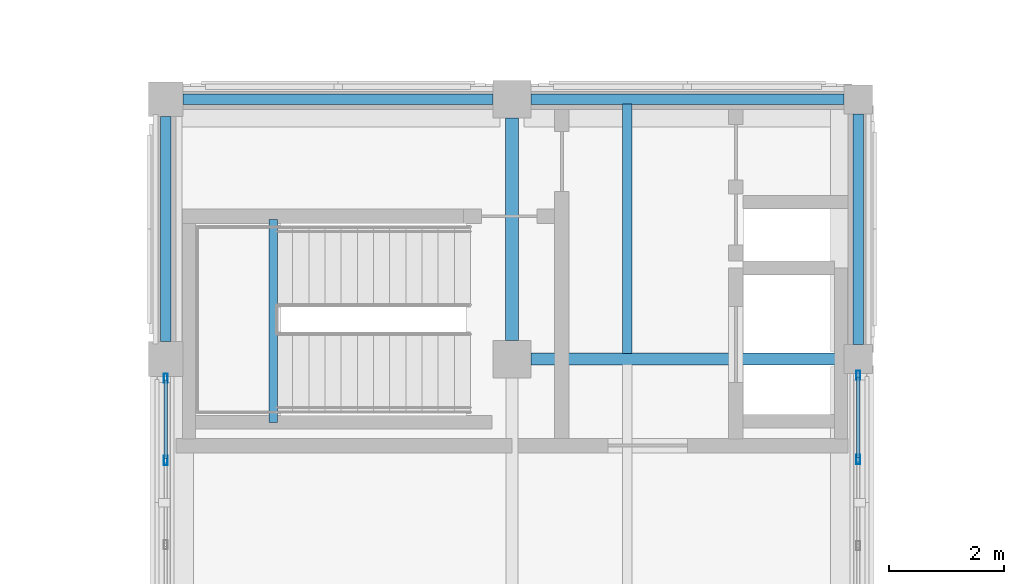
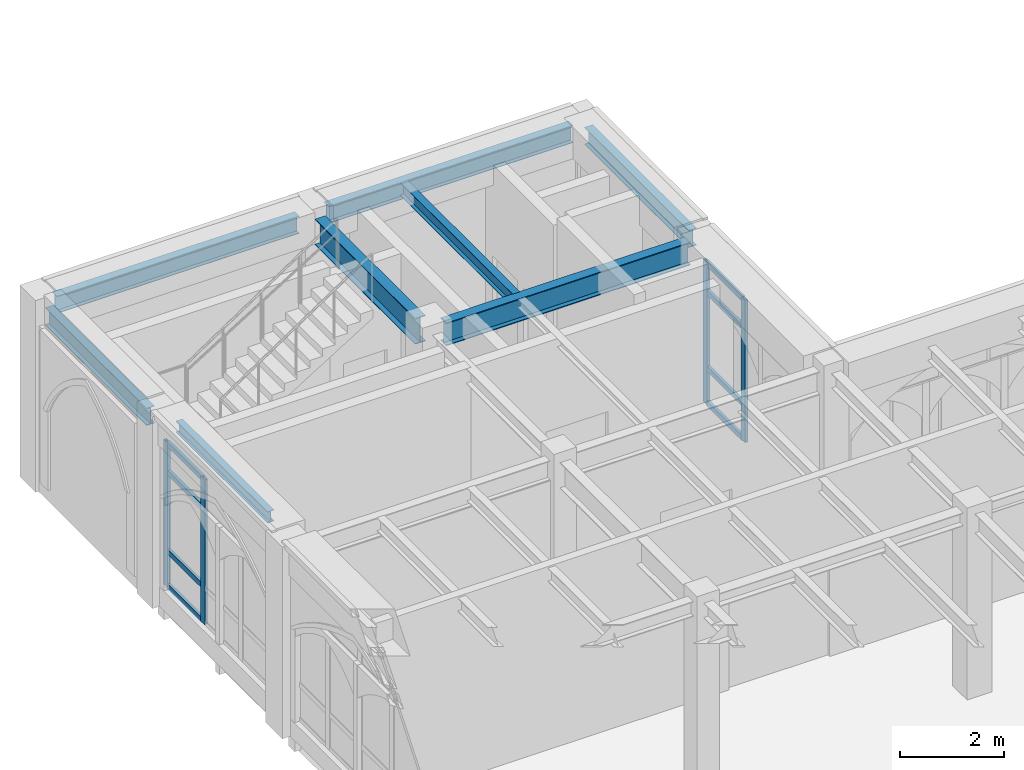
# One storey, part 25 of 143: 12 members, 8 beams, 2 elements without a shape of their own.
"""IFC4 building model written with IfcOpenShell, lengths in metres."""

from ifc_helpers import new_model, si_unit, direction, frame, origin, origin_2d, place, context, subcontext, project, spatial, hollow_rectangle, i_section, extrude, material, layer, layer_set, material_profile, profile_set, type_object, element, aggregate, save


model = new_model("IFC4")

# Units and contexts
model_context = context("Model", 3, precision=1e-05, world=origin(), true_north=direction((0.0, 1.0)))
body_context = subcontext(model_context, "Body", "Model", "MODEL_VIEW")
ifc_project = project(units=[si_unit("LENGTHUNIT", "METRE"), si_unit("AREAUNIT", "SQUARE_METRE"), si_unit("VOLUMEUNIT", "CUBIC_METRE"), si_unit("PLANEANGLEUNIT", "RADIAN"), si_unit("MASSUNIT", "GRAM", prefix="KILO")], contexts=[model_context])

# Site, building, storey
site_placement = place(None, origin())
site = spatial("IfcSite", under=ifc_project, at=site_placement, CompositionType="ELEMENT")
building_placement = place(site_placement, origin())
building = spatial("IfcBuilding", under=site, at=building_placement, Name="Cumevento Cable Car Station", CompositionType="ELEMENT")
storey_placement = place(building_placement, frame((0.0, 0.0, 9.0)))
storey = spatial("IfcBuildingStorey", under=building, at=storey_placement, Name="L03", CompositionType="ELEMENT", Elevation=9.0)

# Curtain wall, members
ifc_material_1 = material(Name="Anodised Bronze Aluminium AW-6063-T6", Category="aluminium")
ifc_layer_1 = layer(ifc_material_1, 0.196044921875)
ifc_layer_set_1 = layer_set([ifc_layer_1], Name="Anodised Bronze Aluminium AW-6063-T6")
curtain_wall_type_1 = type_object("IfcCurtainWallType", Name="Lancet Curtain Wall CW-07 1290", PredefinedType="NOTDEFINED", material=ifc_layer_set_1)
curtain_wall_1_placement = place(storey_placement, origin())
curtain_wall_1 = element("IfcCurtainWall", 1, at=curtain_wall_1_placement, inside=storey, type_object=curtain_wall_type_1, Name="Lancet Curtain Wall CW-07 L03 #102", PredefinedType="NOTDEFINED")
ifc_material_2 = material(Name="Anodised Bronze Aluminium AW-6063-T6", Category="aluminium")
ifc_material_profile_1 = material_profile(ifc_material_2, hollow_rectangle(XDim=0.06494140625, YDim=0.159912109375, WallThickness=0.00390625, at=origin_2d()), Name="ALUM65x160x4")
ifc_profile_set_1 = profile_set([ifc_material_profile_1], Name="Anodised Bronze Aluminium AW-6063-T6")
member_type_1 = type_object("IfcMemberType", Name="Curtain Mullion CWM-01 ALUM65x160x4", PredefinedType="MULLION", material=ifc_profile_set_1)
member_1_placement = place(storey_placement, frame((22.0, 59.74169921875, 0.4599609375), z_axis=(0.0, 0.0, 1.0), x_axis=(-1.0, 0.0, 0.0)))
member_1 = element("IfcMember", 2, at=member_1_placement, type_object=member_type_1, Name="CW-07 mullion 3", PredefinedType="MULLION", context=body_context, shape_type="SweptSolid", body=[
    extrude(hollow_rectangle(XDim=0.06494140625, YDim=0.159912109375, WallThickness=0.00390625, at=origin_2d()), origin(), (0.0, 0.0, 1.0), 3.39697265625),
])
member_2_placement = place(storey_placement, frame((22.0, 61.16748046875, 0.4599609375), z_axis=(0.0, 0.0, 1.0), x_axis=(-1.0, 0.0, 0.0)))
member_2 = element("IfcMember", 3, at=member_2_placement, type_object=member_type_1, Name="CW-07 mullion 4", PredefinedType="MULLION", context=body_context, shape_type="SweptSolid", body=[
    extrude(hollow_rectangle(XDim=0.06494140625, YDim=0.159912109375, WallThickness=0.00390625, at=origin_2d()), origin(), (0.0, 0.0, 1.0), 3.39697265625),
])

ifc_material_3 = material(Name="Anodised Bronze Aluminium AW-6063-T6", Category="aluminium")
ifc_layer_2 = layer(ifc_material_3, 0.201904296875)
ifc_layer_set_2 = layer_set([ifc_layer_2], Name="Anodised Bronze Aluminium AW-6063-T6")
curtain_wall_type_2 = type_object("IfcCurtainWallType", Name="Lancet Curtain Wall CW-08 1330", PredefinedType="NOTDEFINED", material=ifc_layer_set_2)
curtain_wall_2_placement = place(storey_placement, origin())
curtain_wall_2 = element("IfcCurtainWall", 4, at=curtain_wall_2_placement, inside=storey, type_object=curtain_wall_type_2, Name="Lancet Curtain Wall CW-08 L03 #103", PredefinedType="NOTDEFINED")
member_3_placement = place(storey_placement, frame((34.0, 61.217529296875, 0.52001953125), z_axis=(0.0, 0.0, 1.0), x_axis=(1.0, 0.0, 0.0)))
member_3 = element("IfcMember", 5, at=member_3_placement, type_object=member_type_1, Name="CW-08 mullion 1", PredefinedType="MULLION", context=body_context, shape_type="SweptSolid", body=[
    extrude(hollow_rectangle(XDim=0.06494140625, YDim=0.159912109375, WallThickness=0.00390625, at=origin_2d()), origin(), (0.0, 0.0, 1.0), 3.3369140625),
])
member_4_placement = place(storey_placement, frame((34.0, 59.75830078125, 0.52001953125), z_axis=(0.0, 0.0, 1.0), x_axis=(1.0, 0.0, 0.0)))
member_4 = element("IfcMember", 6, at=member_4_placement, type_object=member_type_1, Name="CW-08 mullion 2", PredefinedType="MULLION", context=body_context, shape_type="SweptSolid", body=[
    extrude(hollow_rectangle(XDim=0.06494140625, YDim=0.159912109375, WallThickness=0.00390625, at=origin_2d()), origin(), (0.0, 0.0, 1.0), 3.3369140625),
])

# Member
ifc_material_4 = material(Name="Anodised Bronze Aluminium AW-6063-T6", Category="aluminium")
ifc_material_profile_2 = material_profile(ifc_material_4, hollow_rectangle(XDim=0.06494140625, YDim=0.1201171875, WallThickness=0.00390625, at=origin_2d()), Name="ALUT65x120x4")
ifc_profile_set_2 = profile_set([ifc_material_profile_2], Name="Anodised Bronze Aluminium AW-6063-T6")
member_type_2 = type_object("IfcMemberType", Name="Curtain Transom CWT-01 ALUT65x120x4", PredefinedType="USERDEFINED", material=ifc_profile_set_2)
member_5_placement = place(storey_placement, frame((22.0, 59.774169921875, 0.492431640625), z_axis=(0.0, 1.0, 0.0), x_axis=(-1.0, 0.0, 0.0)))
member_5 = element("IfcMember", 7, at=member_5_placement, type_object=member_type_2, Name="CW-07 transom 3.1", ObjectType="TRANSOM", PredefinedType="USERDEFINED", context=body_context, shape_type="SweptSolid", body=[
    extrude(hollow_rectangle(XDim=0.06494140625, YDim=0.1201171875, WallThickness=0.00390625, at=origin_2d()), origin(), (0.0, 0.0, 1.0), 1.36083984375),
])

member_6_placement = place(storey_placement, frame((22.0, 59.774169921875, 1.31005859375), z_axis=(0.0, 1.0, 0.0), x_axis=(-1.0, 0.0, 0.0)))
member_6 = element("IfcMember", 8, at=member_6_placement, type_object=member_type_2, Name="CW-07 transom 3.2", ObjectType="TRANSOM", PredefinedType="USERDEFINED", context=body_context, shape_type="SweptSolid", body=[
    extrude(hollow_rectangle(XDim=0.06494140625, YDim=0.1201171875, WallThickness=0.00390625, at=origin_2d()), origin(), (0.0, 0.0, 1.0), 1.36083984375),
])

member_7_placement = place(storey_placement, frame((22.0, 59.774169921875, 3.156982421875), z_axis=(0.0, 1.0, 0.0), x_axis=(-1.0, 0.0, 0.0)))
member_7 = element("IfcMember", 9, at=member_7_placement, type_object=member_type_2, Name="CW-07 transom 3.3", ObjectType="TRANSOM", PredefinedType="USERDEFINED", context=body_context, shape_type="SweptSolid", body=[
    extrude(hollow_rectangle(XDim=0.06494140625, YDim=0.1201171875, WallThickness=0.00390625, at=origin_2d()), origin(), (0.0, 0.0, 1.0), 1.36083984375),
])

member_8_placement = place(storey_placement, frame((22.0, 59.774169921875, 3.824462890625), z_axis=(0.0, 1.0, 0.0), x_axis=(-1.0, 0.0, 0.0)))
member_8 = element("IfcMember", 10, at=member_8_placement, type_object=member_type_2, Name="CW-07 transom 3.4", ObjectType="TRANSOM", PredefinedType="USERDEFINED", context=body_context, shape_type="SweptSolid", body=[
    extrude(hollow_rectangle(XDim=0.06494140625, YDim=0.1201171875, WallThickness=0.00390625, at=origin_2d()), origin(), (0.0, 0.0, 1.0), 1.36083984375),
])

aggregate(curtain_wall_1, [member_1, member_2, member_5, member_6, member_7, member_8])

member_9_placement = place(storey_placement, frame((34.0, 61.18505859375, 0.552490234375), z_axis=(0.0, -1.0, 0.0), x_axis=(1.0, 0.0, 0.0)))
member_9 = element("IfcMember", 11, at=member_9_placement, type_object=member_type_2, Name="CW-08 transom 1.1", ObjectType="TRANSOM", PredefinedType="USERDEFINED", context=body_context, shape_type="SweptSolid", body=[
    extrude(hollow_rectangle(XDim=0.06494140625, YDim=0.1201171875, WallThickness=0.00390625, at=origin_2d()), origin(), (0.0, 0.0, 1.0), 1.394287109375),
])

member_10_placement = place(storey_placement, frame((34.0, 61.18505859375, 1.3701171875), z_axis=(0.0, -1.0, 0.0), x_axis=(1.0, 0.0, 0.0)))
member_10 = element("IfcMember", 12, at=member_10_placement, type_object=member_type_2, Name="CW-08 transom 1.2", ObjectType="TRANSOM", PredefinedType="USERDEFINED", context=body_context, shape_type="SweptSolid", body=[
    extrude(hollow_rectangle(XDim=0.06494140625, YDim=0.1201171875, WallThickness=0.00390625, at=origin_2d()), origin(), (0.0, 0.0, 1.0), 1.394287109375),
])

member_11_placement = place(storey_placement, frame((34.0, 61.18505859375, 3.156982421875), z_axis=(0.0, -1.0, 0.0), x_axis=(1.0, 0.0, 0.0)))
member_11 = element("IfcMember", 13, at=member_11_placement, type_object=member_type_2, Name="CW-08 transom 1.3", ObjectType="TRANSOM", PredefinedType="USERDEFINED", context=body_context, shape_type="SweptSolid", body=[
    extrude(hollow_rectangle(XDim=0.06494140625, YDim=0.1201171875, WallThickness=0.00390625, at=origin_2d()), origin(), (0.0, 0.0, 1.0), 1.394287109375),
])

member_12_placement = place(storey_placement, frame((34.0, 61.18505859375, 3.824462890625), z_axis=(0.0, -1.0, 0.0), x_axis=(1.0, 0.0, 0.0)))
member_12 = element("IfcMember", 14, at=member_12_placement, type_object=member_type_2, Name="CW-08 transom 1.4", ObjectType="TRANSOM", PredefinedType="USERDEFINED", context=body_context, shape_type="SweptSolid", body=[
    extrude(hollow_rectangle(XDim=0.06494140625, YDim=0.1201171875, WallThickness=0.00390625, at=origin_2d()), origin(), (0.0, 0.0, 1.0), 1.394287109375),
])

aggregate(curtain_wall_2, [member_3, member_4, member_9, member_10, member_11, member_12])

# Beams
ifc_material_5 = material(Name="Steel ASTM A572 Grade 50", Category="steel")
ifc_material_profile_3 = material_profile(ifc_material_5, i_section(OverallWidth=0.22802734375, OverallDepth=0.60791015625, WebThickness=0.01123046875, FlangeThickness=0.017333984375, at=origin_2d()), Name="W610x113.0")
ifc_profile_set_3 = profile_set([ifc_material_profile_3], Name="Steel ASTM A572 Grade 50")
beam_type_1 = type_object("IfcBeamType", Name="Structural Beam BM-02 W610x113.0", PredefinedType="BEAM", material=ifc_profile_set_3)
beam_1_placement = place(storey_placement, frame((28.0, 61.824951171875, 3.9599609375), z_axis=(0.0, 1.0, 0.0), x_axis=(-1.0, 0.0, 0.0)))
element("IfcBeam", 15, at=beam_1_placement, inside=storey, type_object=beam_type_1, Name="Beam BM-02 L03 #1054", PredefinedType="BEAM", context=body_context, shape_type="SweptSolid", body=[
    extrude(i_section(OverallWidth=0.22802734375, OverallDepth=0.60791015625, WebThickness=0.01123046875, FlangeThickness=0.017333984375, at=origin_2d()), origin(), (0.0, 0.0, 1.0), 3.85009765625),
])
ifc_material_6 = material(Name="Steel ASTM A572 Grade 50", Category="steel")
ifc_material_profile_4 = material_profile(ifc_material_6, i_section(OverallWidth=0.14794921875, OverallDepth=0.26611328125, WebThickness=0.007568359375, FlangeThickness=0.012939453125, at=origin_2d()), Name="W250x44.8")
ifc_profile_set_4 = profile_set([ifc_material_profile_4], Name="Steel ASTM A572 Grade 50")
beam_type_2 = type_object("IfcBeamType", Name="Structural Beam BM-07 W250x44.8", PredefinedType="BEAM", material=ifc_profile_set_4)
beam_2_placement = place(storey_placement, frame((23.860107421875, 60.39990234375, 1.89404296875), z_axis=(0.0, 1.0, 0.0), x_axis=(-1.0, 0.0, 0.0)))
element("IfcBeam", 16, at=beam_2_placement, inside=storey, type_object=beam_type_2, Name="Core Stair Half-Landing Trimmer ST-04-L03", PredefinedType="BEAM", context=body_context, shape_type="SweptSolid", body=[
    extrude(i_section(OverallWidth=0.14794921875, OverallDepth=0.26611328125, WebThickness=0.007568359375, FlangeThickness=0.012939453125, at=origin_2d()), origin(), (0.0, 0.0, 1.0), 3.52001953125),
])
ifc_material_7 = material(Name="Steel ASTM A572 Grade 50", Category="steel")
ifc_material_profile_5 = material_profile(ifc_material_7, i_section(OverallWidth=0.2109375, OverallDepth=0.5390625, WebThickness=0.01171875, FlangeThickness=0.018798828125, at=origin_2d()), Name="W530x109.0")
ifc_profile_set_5 = profile_set([ifc_material_profile_5], Name="Steel ASTM A572 Grade 50")
beam_type_3 = type_object("IfcBeamType", Name="Structural Beam BM-11 W530x109.0", PredefinedType="BEAM", material=ifc_profile_set_5)
beam_3_placement = place(storey_placement, frame((28.324951171875, 61.5, 3.994384765625), z_axis=(1.0, 0.0, 0.0), x_axis=(0.0, 1.0, 0.0)))
element("IfcBeam", 17, at=beam_3_placement, inside=storey, type_object=beam_type_3, Name="Beam BM-11 L03 #1048", PredefinedType="BEAM", context=body_context, shape_type="SweptSolid", body=[
    extrude(i_section(OverallWidth=0.2109375, OverallDepth=0.5390625, WebThickness=0.01171875, FlangeThickness=0.018798828125, at=origin_2d()), origin(), (0.0, 0.0, 1.0), 5.425048828125),
])
ifc_material_8 = material(Name="Steel ASTM A572 Grade 50", Category="steel")
ifc_material_profile_6 = material_profile(ifc_material_8, i_section(OverallWidth=0.1650390625, OverallDepth=0.31005859375, WebThickness=0.005859375, FlangeThickness=0.009765625, at=origin_2d()), Name="W310x38.7")
ifc_profile_set_6 = profile_set([ifc_material_profile_6], Name="Steel ASTM A572 Grade 50")
beam_type_4 = type_object("IfcBeamType", Name="Structural Joist JS-03 W310x38.7", PredefinedType="JOIST", material=ifc_profile_set_6)
beam_4_placement = place(storey_placement, frame((30.0, 61.593505859375, 4.10888671875), z_axis=(0.0, 1.0, 0.0), x_axis=(-1.0, 0.0, 0.0)))
element("IfcBeam", 18, at=beam_4_placement, inside=storey, type_object=beam_type_4, Name="Composite Floor Joist JS-03 L03 #1239", PredefinedType="JOIST", context=body_context, shape_type="SweptSolid", body=[
    extrude(i_section(OverallWidth=0.1650390625, OverallDepth=0.31005859375, WebThickness=0.005859375, FlangeThickness=0.009765625, at=origin_2d()), origin(), (0.0, 0.0, 1.0), 4.32958984375),
])
ifc_material_9 = material(Name="Steel ASTM A572 Grade 50", Category="steel")
ifc_material_profile_7 = material_profile(ifc_material_9, i_section(OverallWidth=0.177978515625, OverallDepth=0.406982421875, WebThickness=0.0078125, FlangeThickness=0.0126953125, at=origin_2d()), Name="W410x60.0")
ifc_profile_set_7 = profile_set([ifc_material_profile_7], Name="Steel ASTM A572 Grade 50")
beam_type_5 = type_object("IfcBeamType", Name="Structural Spandrel SP-01 W410x60.0", PredefinedType="SPANDREL", material=ifc_profile_set_7)
beam_5_placement = place(storey_placement, frame((22.300048828125, 66.0, 4.060546875), z_axis=(1.0, 0.0, 0.0), x_axis=(0.0, 1.0, 0.0)))
element("IfcBeam", 19, at=beam_5_placement, inside=storey, type_object=beam_type_5, Name="Beam SP-01 L03 #1049", PredefinedType="SPANDREL", context=body_context, shape_type="SweptSolid", body=[
    extrude(i_section(OverallWidth=0.177978515625, OverallDepth=0.406982421875, WebThickness=0.0078125, FlangeThickness=0.0126953125, at=origin_2d()), origin(), (0.0, 0.0, 1.0), 5.375),
])
beam_6_placement = place(storey_placement, frame((28.324951171875, 66.0, 4.060546875), z_axis=(1.0, 0.0, 0.0), x_axis=(0.0, 1.0, 0.0)))
element("IfcBeam", 20, at=beam_6_placement, inside=storey, type_object=beam_type_5, Name="Beam SP-01 L03 #1050", PredefinedType="SPANDREL", context=body_context, shape_type="SweptSolid", body=[
    extrude(i_section(OverallWidth=0.177978515625, OverallDepth=0.406982421875, WebThickness=0.0078125, FlangeThickness=0.0126953125, at=origin_2d()), origin(), (0.0, 0.0, 1.0), 5.425048828125),
])
beam_7_placement = place(storey_placement, frame((22.0, 61.800048828125, 4.060546875), z_axis=(0.0, 1.0, 0.0), x_axis=(-1.0, 0.0, 0.0)))
element("IfcBeam", 21, at=beam_7_placement, inside=storey, type_object=beam_type_5, Name="Beam SP-01 L03 #1052", PredefinedType="SPANDREL", context=body_context, shape_type="SweptSolid", body=[
    extrude(i_section(OverallWidth=0.177978515625, OverallDepth=0.406982421875, WebThickness=0.0078125, FlangeThickness=0.0126953125, at=origin_2d()), origin(), (0.0, 0.0, 1.0), 3.89990234375),
])
beam_8_placement = place(storey_placement, frame((34.0, 61.75, 4.060546875), z_axis=(0.0, 1.0, 0.0), x_axis=(-1.0, 0.0, 0.0)))
element("IfcBeam", 22, at=beam_8_placement, inside=storey, type_object=beam_type_5, Name="Beam SP-01 L03 #1056", PredefinedType="SPANDREL", context=body_context, shape_type="SweptSolid", body=[
    extrude(i_section(OverallWidth=0.177978515625, OverallDepth=0.406982421875, WebThickness=0.0078125, FlangeThickness=0.0126953125, at=origin_2d()), origin(), (0.0, 0.0, 1.0), 4.0),
])

save(model, "model.ifc")
